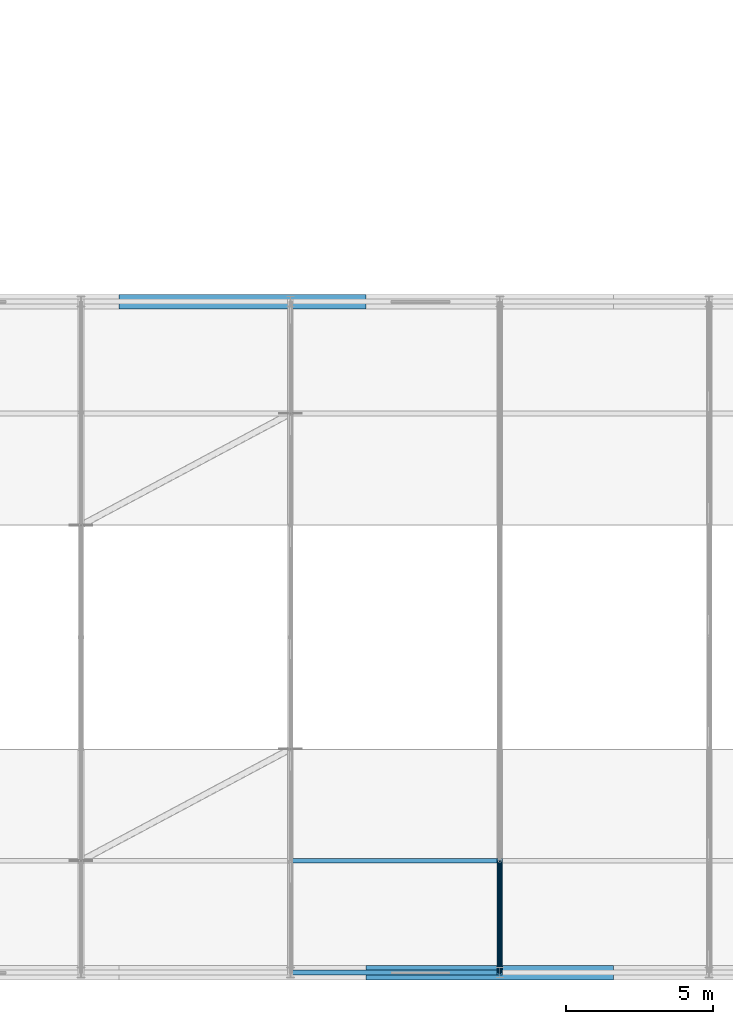
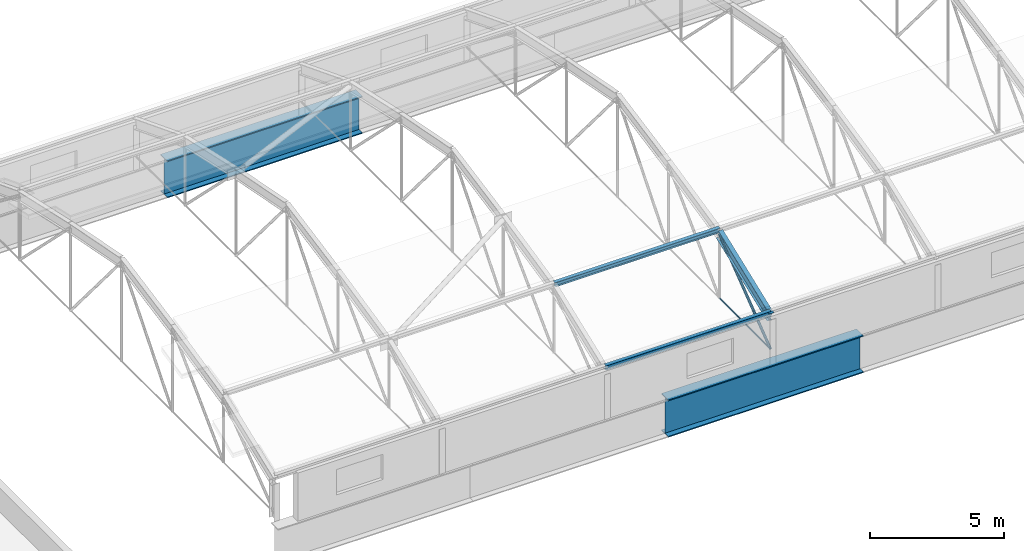
# One storey, part 11 of 53: 4 members, 3 beams.
"""IFC4 building model written with IfcOpenShell, lengths in metres."""

import ifcopenshell
import ifcopenshell.guid

model = None  # the IFC model being written
_history = None  # IfcOwnerHistory: only IFC2X3 demands one
_inside = {}  # id of a spatial element -> (the spatial element, [elements in it])
_under = {}  # id of a project, library or spatial element -> (it, [spatial elements below it])
_declared = {}  # id of a project -> (the project, [libraries it declares])
_typed = {}  # id of a type object -> (the type object, [elements of that type])
_made_of = {}  # id of a material, layer set ... -> (it, [elements and type objects made of it])


def new_model(schema):
    """Start an empty IFC model of exactly this schema.

    Asked for "IFC4X3", IfcOpenShell would pick the latest addendum, in which some entities
    have other attributes; the version numbers below select the first issue.
    IFC2X3 requires an IfcOwnerHistory on every rooted entity: one is made here for all.
    """
    global model, _history
    if schema == "IFC4X3":
        model = ifcopenshell.file(schema_version=(4, 3, 0, 0))
    else:
        model = ifcopenshell.file(schema=schema)
    _inside.clear()
    _under.clear()
    _declared.clear()
    _typed.clear()
    _made_of.clear()
    _history = None
    if model.schema == "IFC2X3":
        org = make("IfcOrganization", Name="unknown")
        user = make(
            "IfcPersonAndOrganization",
            ThePerson=make("IfcPerson", FamilyName="unknown"),
            TheOrganization=org,
        )
        app = make(
            "IfcApplication",
            ApplicationDeveloper=org,
            Version="unknown",
            ApplicationFullName="unknown",
            ApplicationIdentifier="unknown",
        )
        _history = make(
            "IfcOwnerHistory",
            OwningUser=user,
            OwningApplication=app,
            ChangeAction="ADDED",
            CreationDate=0,
        )
    return model


def make(cls, **values):
    """One entity of the class cls with the attributes given. An attribute that is None is left unset."""
    return model.create_entity(
        cls, **{name: value for name, value in values.items() if value is not None}
    )


def rooted(cls, **values):
    """An entity with a GlobalId (a new one), such as an element, a storey or a relation."""
    return make(cls, GlobalId=ifcopenshell.guid.new(), OwnerHistory=_history, **values)


def si_unit(unit_type, name, prefix=None):
    """IfcSIUnit, for example si_unit("LENGTHUNIT", "METRE", prefix="MILLI")."""
    return make("IfcSIUnit", UnitType=unit_type, Prefix=prefix, Name=name)


def assignment(units):
    """IfcUnitAssignment: the units of a project."""
    return None if units is None else make("IfcUnitAssignment", Units=units)


def point(xyz):
    """IfcCartesianPoint."""
    return None if xyz is None else make("IfcCartesianPoint", Coordinates=xyz)


def direction(xyz):
    """IfcDirection."""
    return None if xyz is None else make("IfcDirection", DirectionRatios=xyz)


def frame(location, z_axis=None, x_axis=None):
    """IfcAxis2Placement3D, a coordinate frame: its origin and axes. An axis left out is left unset."""
    return make(
        "IfcAxis2Placement3D",
        Location=point(location),
        Axis=direction(z_axis),
        RefDirection=direction(x_axis),
    )


def frame_2d(location, x_axis=None):
    """IfcAxis2Placement2D, a coordinate frame in the plane: its origin and x axis."""
    return make(
        "IfcAxis2Placement2D", Location=point(location), RefDirection=direction(x_axis)
    )


def origin_with_axes():
    """The frame at (0, 0, 0) with the z axis (0, 0, 1) and the x axis (1, 0, 0) written out."""
    return frame((0.0, 0.0, 0.0), z_axis=(0.0, 0.0, 1.0), x_axis=(1.0, 0.0, 0.0))


def origin_2d_with_axis():
    """The frame at (0, 0) in the plane with the x axis (1, 0) written out."""
    return frame_2d((0.0, 0.0), x_axis=(1.0, 0.0))


def place(relative_to, where):
    """IfcLocalPlacement: puts the frame where relative to a parent placement (None: the world)."""
    return make(
        "IfcLocalPlacement", PlacementRelTo=relative_to, RelativePlacement=where
    )


def context(
    kind, dimensions, precision=None, world=None, true_north=None, identifier=None
):
    """IfcGeometricRepresentationContext, for example the 3D "Model" context."""
    return make(
        "IfcGeometricRepresentationContext",
        ContextIdentifier=identifier,
        ContextType=kind,
        CoordinateSpaceDimension=dimensions,
        Precision=precision,
        WorldCoordinateSystem=world,
        TrueNorth=true_north,
    )


def subcontext(parent, identifier, kind, view, scale=None):
    """IfcGeometricRepresentationSubContext, for example "Body" below "Model"."""
    return make(
        "IfcGeometricRepresentationSubContext",
        ContextIdentifier=identifier,
        ContextType=kind,
        ParentContext=parent,
        TargetScale=scale,
        TargetView=view,
    )


def project(units=None, contexts=None):
    """IfcProject with its units and contexts."""
    return rooted(
        "IfcProject",
        Name="project",
        RepresentationContexts=contexts,
        UnitsInContext=assignment(units),
    )


def spatial(cls, under=None, at=None, **own):
    """A site, building, storey or space (cls), placed at a placement, below another one or the project."""
    s = rooted(cls, ObjectPlacement=at, **own)
    if under is not None:
        _under.setdefault(under.id(), (under, []))[1].append(s)
    return s


def profile(cls, at=None, kind="AREA", **sizes):
    """A parametric profile (cls). Its sizes go by their IFC names, for example OverallWidth=200.0."""
    return make(cls, ProfileType=kind, Position=at, **sizes)


def circle(**sizes):
    """IfcCircleProfileDef."""
    return profile("IfcCircleProfileDef", **sizes)


def hollow_circle(**sizes):
    """IfcCircleHollowProfileDef."""
    return profile("IfcCircleHollowProfileDef", **sizes)


def i_section(**sizes):
    """IfcIShapeProfileDef."""
    return profile("IfcIShapeProfileDef", **sizes)


def extrude(swept, where, along, depth):
    """IfcExtrudedAreaSolid: the profile swept, set in the frame where, extruded along a direction by depth."""
    return make(
        "IfcExtrudedAreaSolid",
        SweptArea=swept,
        Position=where,
        ExtrudedDirection=direction(along),
        Depth=depth,
    )


def shape(context_of_items, identifier, shape_type, items):
    """IfcShapeRepresentation: the items that make up one representation, for example the "Body"."""
    return make(
        "IfcShapeRepresentation",
        ContextOfItems=context_of_items,
        RepresentationIdentifier=identifier,
        RepresentationType=shape_type,
        Items=items,
    )


def material(Name=None, Category=None):
    """IfcMaterial."""
    return make("IfcMaterial", Name=Name, Category=Category)


def material_profile(
    of_material, cross_section, Name=None, Category=None, Priority=None
):
    """IfcMaterialProfile: a cross section and its material."""
    return make(
        "IfcMaterialProfile",
        Name=Name,
        Material=of_material,
        Profile=cross_section,
        Priority=Priority,
        Category=Category,
    )


def profile_set(profiles, Name=None, composite=None):
    """IfcMaterialProfileSet."""
    return make(
        "IfcMaterialProfileSet",
        Name=Name,
        MaterialProfiles=profiles,
        CompositeProfile=composite,
    )


def made_of(thing, what):
    """Note that an element or type object is made of a material, layer set ...; save() writes the relation."""
    if what is not None:
        _made_of.setdefault(what.id(), (what, []))[1].append(thing)
    return thing


def type_object(cls, material=None, **own):
    """A type object (cls), such as IfcWallType, which elements share."""
    return made_of(rooted(cls, **own), material)


def element(
    cls,
    number,
    at=None,
    inside=None,
    cuts=None,
    type_object=None,
    material=None,
    context=None,
    identifier="Body",
    shape_type=None,
    held_by="IfcProductDefinitionShape",
    body=None,
    shapes=None,
    **own,
):
    """One element of the class cls, such as IfcWall. Its Tag is "e" and its number.

    at: its placement. inside: the storey or other place that contains it. cuts: it is an
    opening in that element (IfcRelVoidsElement). A single representation is given by context,
    identifier, shape_type and body (its items); several are given by shapes. held_by: the class
    of the entity that holds the representations. save() writes the other relations.
    """
    e = rooted(cls, Tag="e%d" % number, ObjectPlacement=at, **own)
    if body is not None:
        shapes = [shape(context, identifier, shape_type, body)]
    if shapes is not None:
        e.Representation = make(held_by, Representations=shapes)
    if inside is not None:
        _inside.setdefault(inside.id(), (inside, []))[1].append(e)
    if cuts is not None:
        rooted(
            "IfcRelVoidsElement", RelatingBuildingElement=cuts, RelatedOpeningElement=e
        )
    if type_object is not None:
        _typed.setdefault(type_object.id(), (type_object, []))[1].append(e)
    return made_of(e, material)


def aggregate(whole, parts):
    """IfcRelAggregates: a whole, such as a stair, and the parts it consists of."""
    return rooted("IfcRelAggregates", RelatingObject=whole, RelatedObjects=parts)


def save(model, path):
    """Write the relations noted so far, then the file.

    IfcRelAggregates (storeys below a building ...), IfcRelContainedInSpatialStructure (elements
    in a storey), IfcRelDefinesByType, IfcRelAssociatesMaterial and IfcRelDeclares: one each for
    every whole, place, type object, material and project.
    """
    for whole, parts in _under.values():
        aggregate(whole, parts)
    for where, things in _inside.values():
        rooted(
            "IfcRelContainedInSpatialStructure",
            RelatedElements=things,
            RelatingStructure=where,
        )
    for kind, things in _typed.values():
        rooted("IfcRelDefinesByType", RelatedObjects=things, RelatingType=kind)
    for what, things in _made_of.values():
        rooted("IfcRelAssociatesMaterial", RelatedObjects=things, RelatingMaterial=what)
    for by, libraries in _declared.values():
        rooted("IfcRelDeclares", RelatingContext=by, RelatedDefinitions=libraries)
    model.write(path)


model = new_model("IFC4")

# Units and contexts
model_context = context("Model", 3, precision=1e-05, world=origin_with_axes(), true_north=direction((0.0, 1.0)))
body_context = subcontext(model_context, "Body", "Model", "MODEL_VIEW")
ifc_project = project(units=[si_unit("LENGTHUNIT", "METRE"), si_unit("AREAUNIT", "SQUARE_METRE"), si_unit("VOLUMEUNIT", "CUBIC_METRE"), si_unit("PLANEANGLEUNIT", "RADIAN"), si_unit("MASSUNIT", "GRAM", prefix="KILO"), si_unit("THERMODYNAMICTEMPERATUREUNIT", "KELVIN")], contexts=[model_context])

# Site, building, storey
site_placement = place(None, origin_with_axes())
site = spatial("IfcSite", under=ifc_project, at=site_placement, CompositionType="ELEMENT")
building_placement = place(site_placement, origin_with_axes())
building = spatial("IfcBuilding", under=site, at=building_placement, Name="Montbau Bow Law Courts", CompositionType="ELEMENT")
storey_placement = place(building_placement, frame((0.0, 0.0, 39.0), z_axis=(0.0, 0.0, 1.0), x_axis=(1.0, 0.0, 0.0)))
storey = spatial("IfcBuildingStorey", under=building, at=storey_placement, Name="L08", CompositionType="ELEMENT", Elevation=39.0)

# Beams
ifc_material = material(Name="Steel CSA G40.21 Grade 350WT (350 MPa)", Category="steel")
ifc_material_profile_1 = material_profile(ifc_material, i_section(OverallWidth=0.191, OverallDepth=0.46, WebThickness=0.0099, FlangeThickness=0.016, at=origin_2d_with_axis()), Name="W460X82", Category="Main", Priority=0)
ifc_profile_set_1 = profile_set([ifc_material_profile_1], Name="Steel CSA G40.21 Grade 350WT (350 MPa)")
beam_type_1 = type_object("IfcBeamType", Name="B-ARC-02", PredefinedType="USERDEFINED", material=ifc_profile_set_1)
beam_placement = place(None, frame((76.543, 39.0, 40.7), z_axis=(0.0, 0.931986259, 0.362493603), x_axis=(-1.0, 0.0, 0.0)))
element("IfcBeam", 1, at=beam_placement, inside=storey, type_object=beam_type_1, Name="Barrel vault roof truss arch rib V3-115", ObjectType="ARCH_RIB", PredefinedType="USERDEFINED", context=body_context, shape_type="SweptSolid", body=[
    extrude(i_section(OverallWidth=0.191, OverallDepth=0.46, WebThickness=0.0099, FlangeThickness=0.016, at=origin_2d_with_axis()), origin_with_axes(), (0.0, 0.0, 1.0), 4.077313),
])
ifc_material_profile_2 = material_profile(ifc_material, i_section(OverallWidth=0.5, OverallDepth=1.7, WebThickness=0.02, FlangeThickness=0.045, at=origin_2d_with_axis()), Name="WWF1700X480", Category="Main", Priority=0)
ifc_profile_set_2 = profile_set([ifc_material_profile_2], Name="Steel CSA G40.21 Grade 350WT (350 MPa)")
beam_type_2 = type_object("IfcBeamType", Name="B-TRG-02", PredefinedType="USERDEFINED", material=ifc_profile_set_2)
for number, where, z_axis, x_axis, name in (
    (2, (72.0, 39.0, 37.81), (1.0, 0.0, 0.0), (0.0, 1.0, 0.0), "VRG-L08-S0021:bm2_0024"),
    (3, (63.6, 61.8, 37.81), (1.0, 0.0, 0.0), (0.0, 1.0, 0.0), "VRG-L08-S0026:bm2_0029"),
):
    element("IfcBeam", number, at=place(None, frame(where, z_axis=z_axis, x_axis=x_axis)), inside=storey, type_object=beam_type_2, Name=name, ObjectType="GIRDER", PredefinedType="USERDEFINED", context=body_context, shape_type="SweptSolid", body=[
        extrude(i_section(OverallWidth=0.5, OverallDepth=1.7, WebThickness=0.02, FlangeThickness=0.045, at=origin_2d_with_axis()), origin_with_axes(), (0.0, 0.0, 1.0), 8.4),
    ])

# Members
ifc_material_profile_3 = material_profile(ifc_material, i_section(OverallWidth=0.165, OverallDepth=0.201, WebThickness=0.0062, FlangeThickness=0.0102, at=origin_2d_with_axis()), Name="W200X36", Category="Main", Priority=0)
ifc_profile_set_3 = profile_set([ifc_material_profile_3], Name="Steel CSA G40.21 Grade 350WT (350 MPa)")
member_type_1 = type_object("IfcMemberType", Name="M-PUR-02", PredefinedType="PURLIN", material=ifc_profile_set_3)
for number, where, z_axis, x_axis, name in (
    (4, (69.429, 39.0, 40.91), (1.0, 0.0, 0.0), (0.0, 1.0, 0.0), "Barrel vault roof truss purlin V3-113"),
    (5, (69.429, 42.8, 42.388), (1.0, 0.0, 0.0), (0.0, 1.0, 0.0), "Barrel vault roof truss purlin V3-114"),
):
    element("IfcMember", number, at=place(None, frame(where, z_axis=z_axis, x_axis=x_axis)), inside=storey, type_object=member_type_1, Name=name, PredefinedType="PURLIN", context=body_context, shape_type="SweptSolid", body=[
        extrude(i_section(OverallWidth=0.165, OverallDepth=0.201, WebThickness=0.0062, FlangeThickness=0.0102, at=origin_2d_with_axis()), origin_with_axes(), (0.0, 0.0, 1.0), 7.114),
    ])
ifc_material_profile_4 = material_profile(ifc_material, hollow_circle(Radius=0.057, WallThickness=0.008, at=origin_2d_with_axis()), Name="HSS114X8.0", Category="Main", Priority=0)
ifc_profile_set_4 = profile_set([ifc_material_profile_4], Name="Steel CSA G40.21 Grade 350WT (350 MPa)")
member_type_2 = type_object("IfcMemberType", Name="M-STR-03", PredefinedType="STRUT", material=ifc_profile_set_4)
member_1_placement = place(None, frame((76.543, 39.0, 39.25), z_axis=(0.0, 0.792127775, 0.610355296), x_axis=(-1.0, 0.0, 0.0)))
element("IfcMember", 6, at=member_1_placement, inside=storey, type_object=member_type_2, Name="Barrel vault roof truss web diagonal V3-04-1", PredefinedType="STRUT", context=body_context, shape_type="SweptSolid", body=[
    extrude(hollow_circle(Radius=0.057, WallThickness=0.008, at=origin_2d_with_axis()), origin_with_axes(), (0.0, 0.0, 1.0), 4.797206),
])
ifc_material_profile_5 = material_profile(ifc_material, circle(Radius=0.032, at=origin_2d_with_axis()), Name="ROD64", Category="Main", Priority=0)
ifc_profile_set_5 = profile_set([ifc_material_profile_5], Name="Steel CSA G40.21 Grade 350WT (350 MPa)")
member_type_3 = type_object("IfcMemberType", Name="M-TIE-02", PredefinedType="USERDEFINED", material=ifc_profile_set_5)
member_2_placement = place(None, frame((76.543, 39.0, 39.25), z_axis=(0.0, 1.0, 0.0), x_axis=(-1.0, 0.0, 0.0)))
element("IfcMember", 7, at=member_2_placement, inside=storey, type_object=member_type_3, Name="Barrel vault roof truss tie V3-115", ObjectType="TIEBAR", PredefinedType="USERDEFINED", context=body_context, shape_type="SweptSolid", body=[
    extrude(circle(Radius=0.032, at=origin_2d_with_axis()), origin_with_axes(), (0.0, 0.0, 1.0), 3.8),
])

save(model, "model.ifc")
